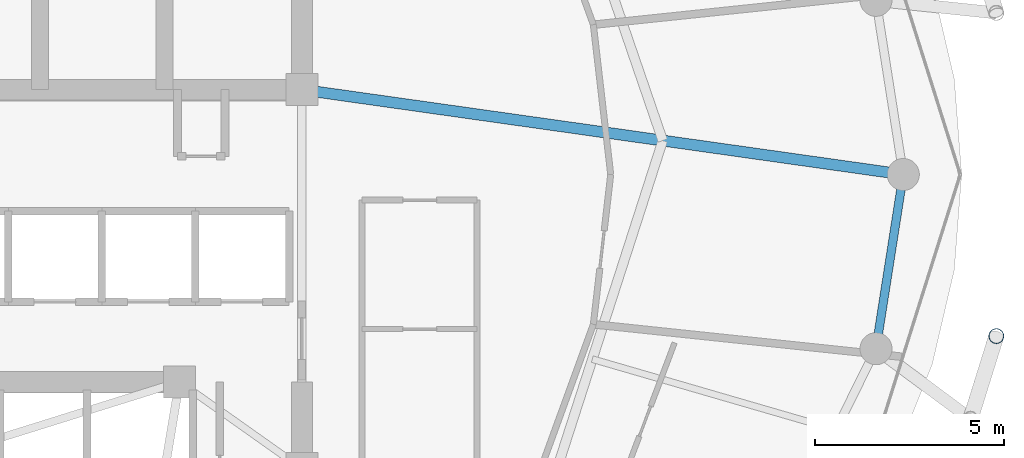
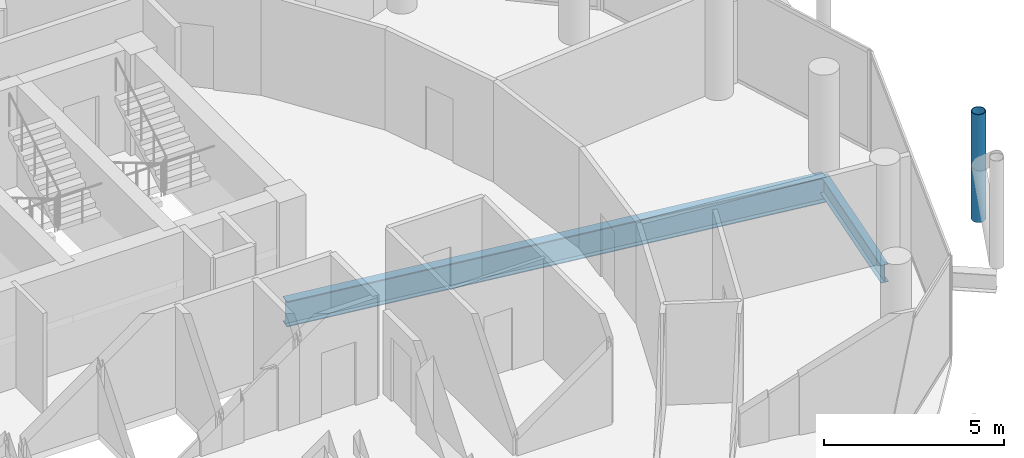
# One storey, part 14 of 27: 2 beams, 1 member.
"""IFC4 building model written with IfcOpenShell, lengths in metres."""

import ifcopenshell
import ifcopenshell.guid

model = None  # the IFC model being written
_history = None  # IfcOwnerHistory: only IFC2X3 demands one
_inside = {}  # id of a spatial element -> (the spatial element, [elements in it])
_under = {}  # id of a project, library or spatial element -> (it, [spatial elements below it])
_declared = {}  # id of a project -> (the project, [libraries it declares])
_typed = {}  # id of a type object -> (the type object, [elements of that type])
_made_of = {}  # id of a material, layer set ... -> (it, [elements and type objects made of it])


def new_model(schema):
    """Start an empty IFC model of exactly this schema.

    Asked for "IFC4X3", IfcOpenShell would pick the latest addendum, in which some entities
    have other attributes; the version numbers below select the first issue.
    IFC2X3 requires an IfcOwnerHistory on every rooted entity: one is made here for all.
    """
    global model, _history
    if schema == "IFC4X3":
        model = ifcopenshell.file(schema_version=(4, 3, 0, 0))
    else:
        model = ifcopenshell.file(schema=schema)
    _inside.clear()
    _under.clear()
    _declared.clear()
    _typed.clear()
    _made_of.clear()
    _history = None
    if model.schema == "IFC2X3":
        org = make("IfcOrganization", Name="unknown")
        user = make(
            "IfcPersonAndOrganization",
            ThePerson=make("IfcPerson", FamilyName="unknown"),
            TheOrganization=org,
        )
        app = make(
            "IfcApplication",
            ApplicationDeveloper=org,
            Version="unknown",
            ApplicationFullName="unknown",
            ApplicationIdentifier="unknown",
        )
        _history = make(
            "IfcOwnerHistory",
            OwningUser=user,
            OwningApplication=app,
            ChangeAction="ADDED",
            CreationDate=0,
        )
    return model


def make(cls, **values):
    """One entity of the class cls with the attributes given. An attribute that is None is left unset."""
    return model.create_entity(
        cls, **{name: value for name, value in values.items() if value is not None}
    )


def rooted(cls, **values):
    """An entity with a GlobalId (a new one), such as an element, a storey or a relation."""
    return make(cls, GlobalId=ifcopenshell.guid.new(), OwnerHistory=_history, **values)


def si_unit(unit_type, name, prefix=None):
    """IfcSIUnit, for example si_unit("LENGTHUNIT", "METRE", prefix="MILLI")."""
    return make("IfcSIUnit", UnitType=unit_type, Prefix=prefix, Name=name)


def assignment(units):
    """IfcUnitAssignment: the units of a project."""
    return None if units is None else make("IfcUnitAssignment", Units=units)


def point(xyz):
    """IfcCartesianPoint."""
    return None if xyz is None else make("IfcCartesianPoint", Coordinates=xyz)


def direction(xyz):
    """IfcDirection."""
    return None if xyz is None else make("IfcDirection", DirectionRatios=xyz)


def frame(location, z_axis=None, x_axis=None):
    """IfcAxis2Placement3D, a coordinate frame: its origin and axes. An axis left out is left unset."""
    return make(
        "IfcAxis2Placement3D",
        Location=point(location),
        Axis=direction(z_axis),
        RefDirection=direction(x_axis),
    )


def frame_2d(location, x_axis=None):
    """IfcAxis2Placement2D, a coordinate frame in the plane: its origin and x axis."""
    return make(
        "IfcAxis2Placement2D", Location=point(location), RefDirection=direction(x_axis)
    )


def origin():
    """The frame at (0, 0, 0) with its axes left unset."""
    return frame((0.0, 0.0, 0.0))


def origin_2d():
    """The frame at (0, 0) in the plane with its x axis left unset."""
    return frame_2d((0.0, 0.0))


def place(relative_to, where):
    """IfcLocalPlacement: puts the frame where relative to a parent placement (None: the world)."""
    return make(
        "IfcLocalPlacement", PlacementRelTo=relative_to, RelativePlacement=where
    )


def context(
    kind, dimensions, precision=None, world=None, true_north=None, identifier=None
):
    """IfcGeometricRepresentationContext, for example the 3D "Model" context."""
    return make(
        "IfcGeometricRepresentationContext",
        ContextIdentifier=identifier,
        ContextType=kind,
        CoordinateSpaceDimension=dimensions,
        Precision=precision,
        WorldCoordinateSystem=world,
        TrueNorth=true_north,
    )


def subcontext(parent, identifier, kind, view, scale=None):
    """IfcGeometricRepresentationSubContext, for example "Body" below "Model"."""
    return make(
        "IfcGeometricRepresentationSubContext",
        ContextIdentifier=identifier,
        ContextType=kind,
        ParentContext=parent,
        TargetScale=scale,
        TargetView=view,
    )


def project(units=None, contexts=None):
    """IfcProject with its units and contexts."""
    return rooted(
        "IfcProject",
        Name="project",
        RepresentationContexts=contexts,
        UnitsInContext=assignment(units),
    )


def spatial(cls, under=None, at=None, **own):
    """A site, building, storey or space (cls), placed at a placement, below another one or the project."""
    s = rooted(cls, ObjectPlacement=at, **own)
    if under is not None:
        _under.setdefault(under.id(), (under, []))[1].append(s)
    return s


def profile(cls, at=None, kind="AREA", **sizes):
    """A parametric profile (cls). Its sizes go by their IFC names, for example OverallWidth=200.0."""
    return make(cls, ProfileType=kind, Position=at, **sizes)


def hollow_circle(**sizes):
    """IfcCircleHollowProfileDef."""
    return profile("IfcCircleHollowProfileDef", **sizes)


def i_section(**sizes):
    """IfcIShapeProfileDef."""
    return profile("IfcIShapeProfileDef", **sizes)


def extrude(swept, where, along, depth):
    """IfcExtrudedAreaSolid: the profile swept, set in the frame where, extruded along a direction by depth."""
    return make(
        "IfcExtrudedAreaSolid",
        SweptArea=swept,
        Position=where,
        ExtrudedDirection=direction(along),
        Depth=depth,
    )


def shape(context_of_items, identifier, shape_type, items):
    """IfcShapeRepresentation: the items that make up one representation, for example the "Body"."""
    return make(
        "IfcShapeRepresentation",
        ContextOfItems=context_of_items,
        RepresentationIdentifier=identifier,
        RepresentationType=shape_type,
        Items=items,
    )


def material(Name=None, Category=None):
    """IfcMaterial."""
    return make("IfcMaterial", Name=Name, Category=Category)


def material_profile(
    of_material, cross_section, Name=None, Category=None, Priority=None
):
    """IfcMaterialProfile: a cross section and its material."""
    return make(
        "IfcMaterialProfile",
        Name=Name,
        Material=of_material,
        Profile=cross_section,
        Priority=Priority,
        Category=Category,
    )


def profile_set(profiles, Name=None, composite=None):
    """IfcMaterialProfileSet."""
    return make(
        "IfcMaterialProfileSet",
        Name=Name,
        MaterialProfiles=profiles,
        CompositeProfile=composite,
    )


def made_of(thing, what):
    """Note that an element or type object is made of a material, layer set ...; save() writes the relation."""
    if what is not None:
        _made_of.setdefault(what.id(), (what, []))[1].append(thing)
    return thing


def type_object(cls, material=None, **own):
    """A type object (cls), such as IfcWallType, which elements share."""
    return made_of(rooted(cls, **own), material)


def element(
    cls,
    number,
    at=None,
    inside=None,
    cuts=None,
    type_object=None,
    material=None,
    context=None,
    identifier="Body",
    shape_type=None,
    held_by="IfcProductDefinitionShape",
    body=None,
    shapes=None,
    **own,
):
    """One element of the class cls, such as IfcWall. Its Tag is "e" and its number.

    at: its placement. inside: the storey or other place that contains it. cuts: it is an
    opening in that element (IfcRelVoidsElement). A single representation is given by context,
    identifier, shape_type and body (its items); several are given by shapes. held_by: the class
    of the entity that holds the representations. save() writes the other relations.
    """
    e = rooted(cls, Tag="e%d" % number, ObjectPlacement=at, **own)
    if body is not None:
        shapes = [shape(context, identifier, shape_type, body)]
    if shapes is not None:
        e.Representation = make(held_by, Representations=shapes)
    if inside is not None:
        _inside.setdefault(inside.id(), (inside, []))[1].append(e)
    if cuts is not None:
        rooted(
            "IfcRelVoidsElement", RelatingBuildingElement=cuts, RelatedOpeningElement=e
        )
    if type_object is not None:
        _typed.setdefault(type_object.id(), (type_object, []))[1].append(e)
    return made_of(e, material)


def aggregate(whole, parts):
    """IfcRelAggregates: a whole, such as a stair, and the parts it consists of."""
    return rooted("IfcRelAggregates", RelatingObject=whole, RelatedObjects=parts)


def save(model, path):
    """Write the relations noted so far, then the file.

    IfcRelAggregates (storeys below a building ...), IfcRelContainedInSpatialStructure (elements
    in a storey), IfcRelDefinesByType, IfcRelAssociatesMaterial and IfcRelDeclares: one each for
    every whole, place, type object, material and project.
    """
    for whole, parts in _under.values():
        aggregate(whole, parts)
    for where, things in _inside.values():
        rooted(
            "IfcRelContainedInSpatialStructure",
            RelatedElements=things,
            RelatingStructure=where,
        )
    for kind, things in _typed.values():
        rooted("IfcRelDefinesByType", RelatedObjects=things, RelatingType=kind)
    for what, things in _made_of.values():
        rooted("IfcRelAssociatesMaterial", RelatedObjects=things, RelatingMaterial=what)
    for by, libraries in _declared.values():
        rooted("IfcRelDeclares", RelatingContext=by, RelatedDefinitions=libraries)
    model.write(path)


model = new_model("IFC4")

# Units and contexts
model_context = context("Model", 3, precision=1e-05, world=origin(), true_north=direction((0.0, 1.0)))
body_context = subcontext(model_context, "Body", "Model", "MODEL_VIEW")
ifc_project = project(units=[si_unit("LENGTHUNIT", "METRE"), si_unit("AREAUNIT", "SQUARE_METRE"), si_unit("VOLUMEUNIT", "CUBIC_METRE"), si_unit("PLANEANGLEUNIT", "RADIAN"), si_unit("MASSUNIT", "GRAM", prefix="KILO")], contexts=[model_context])

# Site, building, storey
site_placement = place(None, origin())
site = spatial("IfcSite", under=ifc_project, at=site_placement, CompositionType="ELEMENT")
building_placement = place(site_placement, origin())
building = spatial("IfcBuilding", under=site, at=building_placement, Name="Nuhasar Tower", CompositionType="ELEMENT")
storey_placement = place(building_placement, frame((0.0, 0.0, 241.0)))
storey = spatial("IfcBuildingStorey", under=building, at=storey_placement, Name="L59", CompositionType="ELEMENT", Elevation=241.0)

# Beams
ifc_material_1 = material(Name="Steel S355", Category="steel")
ifc_material_profile_1 = material_profile(ifc_material_1, i_section(OverallWidth=0.2919921875, OverallDepth=0.85888671875, WebThickness=0.01708984375, FlangeThickness=0.031005859375, at=origin_2d()), Name="W33X169")
ifc_profile_set_1 = profile_set([ifc_material_profile_1], Name="Steel S355")
beam_type_1 = type_object("IfcBeamType", Name="BM-POD-W33X169", PredefinedType="BEAM", material=ifc_profile_set_1)
beam_1_placement = place(storey_placement, frame((44.300048828125, 29.050048828125, -0.6689453125), z_axis=(0.990196233464, -0.139683281866, 0.0), x_axis=(0.139683281866, 0.990196233464, 0.0)))
element("IfcBeam", 1, at=beam_1_placement, inside=storey, type_object=beam_type_1, Name="L59 Radial Floor Girder 04", PredefinedType="BEAM", context=body_context, shape_type="SweptSolid", body=[
    extrude(i_section(OverallWidth=0.2919921875, OverallDepth=0.85888671875, WebThickness=0.01708984375, FlangeThickness=0.031005859375, at=origin_2d()), origin(), (0.0, 0.0, 1.0), 16.10791015625),
])
ifc_material_profile_2 = material_profile(ifc_material_1, i_section(OverallWidth=0.22802734375, OverallDepth=0.60791015625, WebThickness=0.01123046875, FlangeThickness=0.017333984375, at=origin_2d()), Name="W24X76")
ifc_profile_set_2 = profile_set([ifc_material_profile_2], Name="Steel S355")
beam_type_2 = type_object("IfcBeamType", Name="BM-RING-W24X76", PredefinedType="SPANDREL", material=ifc_profile_set_2)
beam_2_placement = place(storey_placement, frame((59.52587890625, 22.179931640625, -0.5439453125), z_axis=(0.154841886404, 0.987939264436, 0.0), x_axis=(-0.987939264436, 0.154841886404, 0.0)))
element("IfcBeam", 2, at=beam_2_placement, inside=storey, type_object=beam_type_2, Name="L59 Perimeter Ring Spandrel 24", PredefinedType="SPANDREL", context=body_context, shape_type="SweptSolid", body=[
    extrude(i_section(OverallWidth=0.22802734375, OverallDepth=0.60791015625, WebThickness=0.01123046875, FlangeThickness=0.017333984375, at=origin_2d()), origin(), (0.0, 0.0, 1.0), 4.676513671875),
])

# Member
ifc_material_2 = material(Name="Steel S460", Category="steel")
ifc_material_profile_3 = material_profile(ifc_material_2, hollow_circle(Radius=0.203125, WallThickness=0.01904296875, at=origin_2d()), Name="HSS406.4X19.1")
ifc_profile_set_3 = profile_set([ifc_material_profile_3], Name="Steel S460")
member_type = type_object("IfcMemberType", Name="EXO-BRONZE-406", PredefinedType="BRACE", material=ifc_profile_set_3)
member_placement = place(storey_placement, frame((62.718017578125, 22.513916015625, 0.0), z_axis=(0.0, 0.0, 1.0), x_axis=(1.0, 0.0, 0.0)))
element("IfcMember", 3, at=member_placement, inside=storey, type_object=member_type, Name="L59 Exoskeleton Chord Column EC-12B", PredefinedType="BRACE", context=body_context, shape_type="SweptSolid", body=[
    extrude(hollow_circle(Radius=0.203125, WallThickness=0.01904296875, at=origin_2d()), origin(), (0.0, 0.0, 1.0), 3.64990234375),
])

save(model, "model.ifc")
